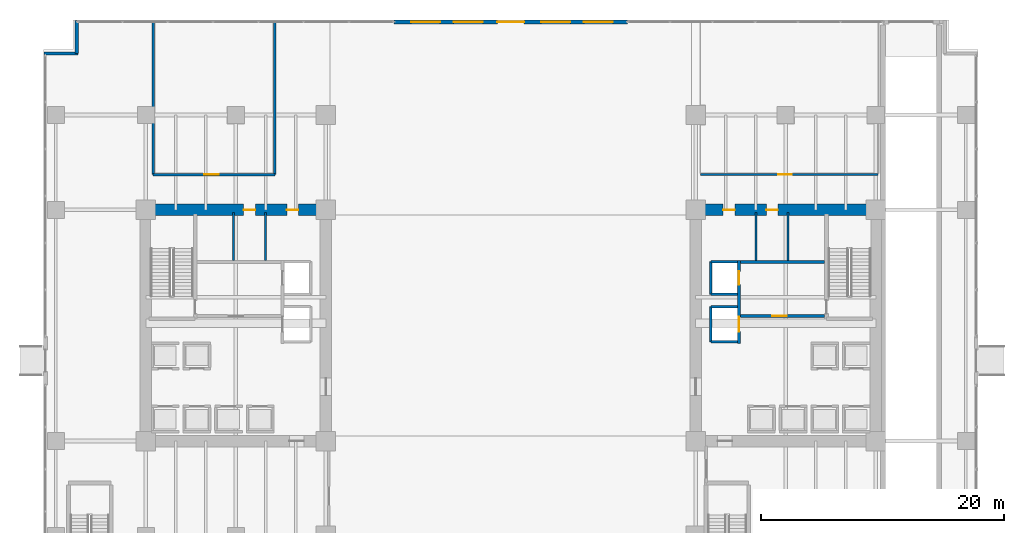
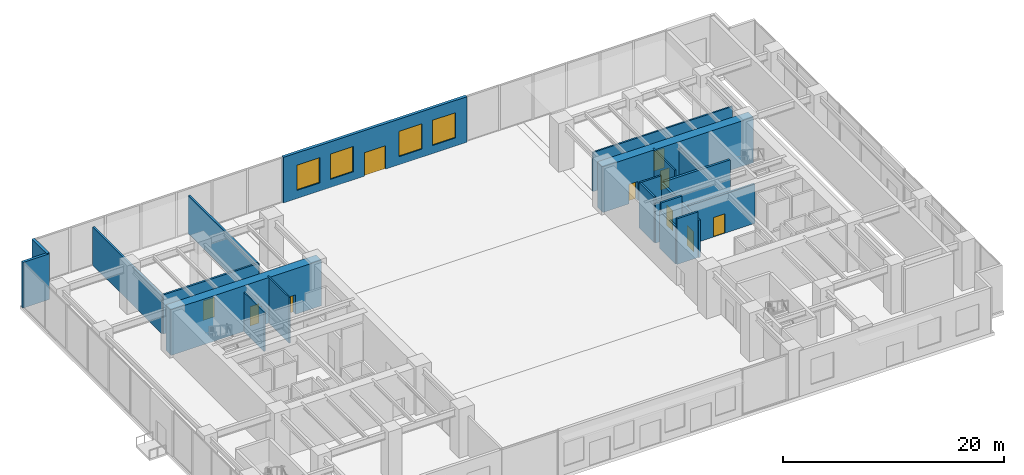
# One storey, part 21 of 28: 22 walls, 10 doors, 4 windows, 14 openings.
"""IFC4 building model written with IfcOpenShell, lengths in metres."""

import ifcopenshell
import ifcopenshell.guid

model = None  # the IFC model being written
_history = None  # IfcOwnerHistory: only IFC2X3 demands one
_inside = {}  # id of a spatial element -> (the spatial element, [elements in it])
_under = {}  # id of a project, library or spatial element -> (it, [spatial elements below it])
_declared = {}  # id of a project -> (the project, [libraries it declares])
_typed = {}  # id of a type object -> (the type object, [elements of that type])
_made_of = {}  # id of a material, layer set ... -> (it, [elements and type objects made of it])


def new_model(schema):
    """Start an empty IFC model of exactly this schema.

    Asked for "IFC4X3", IfcOpenShell would pick the latest addendum, in which some entities
    have other attributes; the version numbers below select the first issue.
    IFC2X3 requires an IfcOwnerHistory on every rooted entity: one is made here for all.
    """
    global model, _history
    if schema == "IFC4X3":
        model = ifcopenshell.file(schema_version=(4, 3, 0, 0))
    else:
        model = ifcopenshell.file(schema=schema)
    _inside.clear()
    _under.clear()
    _declared.clear()
    _typed.clear()
    _made_of.clear()
    _history = None
    if model.schema == "IFC2X3":
        org = make("IfcOrganization", Name="unknown")
        user = make(
            "IfcPersonAndOrganization",
            ThePerson=make("IfcPerson", FamilyName="unknown"),
            TheOrganization=org,
        )
        app = make(
            "IfcApplication",
            ApplicationDeveloper=org,
            Version="unknown",
            ApplicationFullName="unknown",
            ApplicationIdentifier="unknown",
        )
        _history = make(
            "IfcOwnerHistory",
            OwningUser=user,
            OwningApplication=app,
            ChangeAction="ADDED",
            CreationDate=0,
        )
    return model


def make(cls, **values):
    """One entity of the class cls with the attributes given. An attribute that is None is left unset."""
    return model.create_entity(
        cls, **{name: value for name, value in values.items() if value is not None}
    )


def rooted(cls, **values):
    """An entity with a GlobalId (a new one), such as an element, a storey or a relation."""
    return make(cls, GlobalId=ifcopenshell.guid.new(), OwnerHistory=_history, **values)


def si_unit(unit_type, name, prefix=None):
    """IfcSIUnit, for example si_unit("LENGTHUNIT", "METRE", prefix="MILLI")."""
    return make("IfcSIUnit", UnitType=unit_type, Prefix=prefix, Name=name)


def assignment(units):
    """IfcUnitAssignment: the units of a project."""
    return None if units is None else make("IfcUnitAssignment", Units=units)


def point(xyz):
    """IfcCartesianPoint."""
    return None if xyz is None else make("IfcCartesianPoint", Coordinates=xyz)


def direction(xyz):
    """IfcDirection."""
    return None if xyz is None else make("IfcDirection", DirectionRatios=xyz)


def frame(location, z_axis=None, x_axis=None):
    """IfcAxis2Placement3D, a coordinate frame: its origin and axes. An axis left out is left unset."""
    return make(
        "IfcAxis2Placement3D",
        Location=point(location),
        Axis=direction(z_axis),
        RefDirection=direction(x_axis),
    )


def frame_2d(location, x_axis=None):
    """IfcAxis2Placement2D, a coordinate frame in the plane: its origin and x axis."""
    return make(
        "IfcAxis2Placement2D", Location=point(location), RefDirection=direction(x_axis)
    )


def origin():
    """The frame at (0, 0, 0) with its axes left unset."""
    return frame((0.0, 0.0, 0.0))


def place(relative_to, where):
    """IfcLocalPlacement: puts the frame where relative to a parent placement (None: the world)."""
    return make(
        "IfcLocalPlacement", PlacementRelTo=relative_to, RelativePlacement=where
    )


def context(
    kind, dimensions, precision=None, world=None, true_north=None, identifier=None
):
    """IfcGeometricRepresentationContext, for example the 3D "Model" context."""
    return make(
        "IfcGeometricRepresentationContext",
        ContextIdentifier=identifier,
        ContextType=kind,
        CoordinateSpaceDimension=dimensions,
        Precision=precision,
        WorldCoordinateSystem=world,
        TrueNorth=true_north,
    )


def subcontext(parent, identifier, kind, view, scale=None):
    """IfcGeometricRepresentationSubContext, for example "Body" below "Model"."""
    return make(
        "IfcGeometricRepresentationSubContext",
        ContextIdentifier=identifier,
        ContextType=kind,
        ParentContext=parent,
        TargetScale=scale,
        TargetView=view,
    )


def project(units=None, contexts=None):
    """IfcProject with its units and contexts."""
    return rooted(
        "IfcProject",
        Name="project",
        RepresentationContexts=contexts,
        UnitsInContext=assignment(units),
    )


def spatial(cls, under=None, at=None, **own):
    """A site, building, storey or space (cls), placed at a placement, below another one or the project."""
    s = rooted(cls, ObjectPlacement=at, **own)
    if under is not None:
        _under.setdefault(under.id(), (under, []))[1].append(s)
    return s


def profile(cls, at=None, kind="AREA", **sizes):
    """A parametric profile (cls). Its sizes go by their IFC names, for example OverallWidth=200.0."""
    return make(cls, ProfileType=kind, Position=at, **sizes)


def rectangle(**sizes):
    """IfcRectangleProfileDef."""
    return profile("IfcRectangleProfileDef", **sizes)


def extrude(swept, where, along, depth):
    """IfcExtrudedAreaSolid: the profile swept, set in the frame where, extruded along a direction by depth."""
    return make(
        "IfcExtrudedAreaSolid",
        SweptArea=swept,
        Position=where,
        ExtrudedDirection=direction(along),
        Depth=depth,
    )


def shape(context_of_items, identifier, shape_type, items):
    """IfcShapeRepresentation: the items that make up one representation, for example the "Body"."""
    return make(
        "IfcShapeRepresentation",
        ContextOfItems=context_of_items,
        RepresentationIdentifier=identifier,
        RepresentationType=shape_type,
        Items=items,
    )


def source(mapping_origin, context_of_items, identifier, shape_type, items):
    """IfcRepresentationMap: a shape defined once, which mapped items show again and again."""
    return make(
        "IfcRepresentationMap",
        MappingOrigin=mapping_origin,
        MappedRepresentation=shape(context_of_items, identifier, shape_type, items),
    )


def transform(
    local_origin,
    x_axis=None,
    y_axis=None,
    z_axis=None,
    scale=None,
    scale2=None,
    scale3=None,
    uniform=True,
):
    """IfcCartesianTransformationOperator3D, or its non-uniform kind. x_axis, y_axis, z_axis: its Axis1, 2, 3."""
    if uniform:
        return make(
            "IfcCartesianTransformationOperator3D",
            Axis1=direction(x_axis),
            Axis2=direction(y_axis),
            LocalOrigin=point(local_origin),
            Scale=scale,
            Axis3=direction(z_axis),
        )
    return make(
        "IfcCartesianTransformationOperator3DnonUniform",
        Axis1=direction(x_axis),
        Axis2=direction(y_axis),
        LocalOrigin=point(local_origin),
        Scale=scale,
        Axis3=direction(z_axis),
        Scale2=scale2,
        Scale3=scale3,
    )


def mapped(mapping_source, mapping_target):
    """IfcMappedItem: shows the shape of a source again, moved by a transform."""
    return make(
        "IfcMappedItem", MappingSource=mapping_source, MappingTarget=mapping_target
    )


def material(Name=None, Category=None):
    """IfcMaterial."""
    return make("IfcMaterial", Name=Name, Category=Category)


def layer(
    of_material, thickness, ventilated=None, Name=None, Category=None, Priority=None
):
    """IfcMaterialLayer: one layer of a wall or slab, of a material (None: an air gap)."""
    return make(
        "IfcMaterialLayer",
        Material=of_material,
        LayerThickness=thickness,
        IsVentilated=ventilated,
        Name=Name,
        Category=Category,
        Priority=Priority,
    )


def layer_set(layers, Name=None):
    """IfcMaterialLayerSet."""
    return make("IfcMaterialLayerSet", MaterialLayers=layers, LayerSetName=Name)


def made_of(thing, what):
    """Note that an element or type object is made of a material, layer set ...; save() writes the relation."""
    if what is not None:
        _made_of.setdefault(what.id(), (what, []))[1].append(thing)
    return thing


def type_object(cls, material=None, **own):
    """A type object (cls), such as IfcWallType, which elements share."""
    return made_of(rooted(cls, **own), material)


def type_shapes(of_type, sources):
    """Give a type object the sources (RepresentationMaps) that its elements show as mapped items."""
    of_type.RepresentationMaps = sources


def element(
    cls,
    number,
    at=None,
    inside=None,
    cuts=None,
    type_object=None,
    material=None,
    context=None,
    identifier="Body",
    shape_type=None,
    held_by="IfcProductDefinitionShape",
    body=None,
    shapes=None,
    **own,
):
    """One element of the class cls, such as IfcWall. Its Tag is "e" and its number.

    at: its placement. inside: the storey or other place that contains it. cuts: it is an
    opening in that element (IfcRelVoidsElement). A single representation is given by context,
    identifier, shape_type and body (its items); several are given by shapes. held_by: the class
    of the entity that holds the representations. save() writes the other relations.
    """
    e = rooted(cls, Tag="e%d" % number, ObjectPlacement=at, **own)
    if body is not None:
        shapes = [shape(context, identifier, shape_type, body)]
    if shapes is not None:
        e.Representation = make(held_by, Representations=shapes)
    if inside is not None:
        _inside.setdefault(inside.id(), (inside, []))[1].append(e)
    if cuts is not None:
        rooted(
            "IfcRelVoidsElement", RelatingBuildingElement=cuts, RelatedOpeningElement=e
        )
    if type_object is not None:
        _typed.setdefault(type_object.id(), (type_object, []))[1].append(e)
    return made_of(e, material)


def fill(opening, filler):
    """IfcRelFillsElement: the door or window that sits in an opening."""
    return rooted(
        "IfcRelFillsElement",
        RelatingOpeningElement=opening,
        RelatedBuildingElement=filler,
    )


def aggregate(whole, parts):
    """IfcRelAggregates: a whole, such as a stair, and the parts it consists of."""
    return rooted("IfcRelAggregates", RelatingObject=whole, RelatedObjects=parts)


def save(model, path):
    """Write the relations noted so far, then the file.

    IfcRelAggregates (storeys below a building ...), IfcRelContainedInSpatialStructure (elements
    in a storey), IfcRelDefinesByType, IfcRelAssociatesMaterial and IfcRelDeclares: one each for
    every whole, place, type object, material and project.
    """
    for whole, parts in _under.values():
        aggregate(whole, parts)
    for where, things in _inside.values():
        rooted(
            "IfcRelContainedInSpatialStructure",
            RelatedElements=things,
            RelatingStructure=where,
        )
    for kind, things in _typed.values():
        rooted("IfcRelDefinesByType", RelatedObjects=things, RelatingType=kind)
    for what, things in _made_of.values():
        rooted("IfcRelAssociatesMaterial", RelatedObjects=things, RelatingMaterial=what)
    for by, libraries in _declared.values():
        rooted("IfcRelDeclares", RelatingContext=by, RelatedDefinitions=libraries)
    model.write(path)


model = new_model("IFC4")

# Units and contexts
model_context = context("Model", 3, precision=1e-05, world=origin(), true_north=direction((0.0, 1.0)))
body_context = subcontext(model_context, "Body", "Model", "MODEL_VIEW")
ifc_project = project(units=[si_unit("LENGTHUNIT", "METRE"), si_unit("AREAUNIT", "SQUARE_METRE"), si_unit("VOLUMEUNIT", "CUBIC_METRE"), si_unit("PLANEANGLEUNIT", "RADIAN"), si_unit("MASSUNIT", "GRAM", prefix="KILO")], contexts=[model_context])

# Site, building, storey
site_placement = place(None, origin())
site = spatial("IfcSite", under=ifc_project, at=site_placement, CompositionType="ELEMENT")
building_placement = place(site_placement, origin())
building = spatial("IfcBuilding", under=site, at=building_placement, Name="Haelvirn Gate Laboratories", CompositionType="ELEMENT")
storey_placement = place(building_placement, origin())
storey = spatial("IfcBuildingStorey", under=building, at=storey_placement, Name="L01", CompositionType="ELEMENT", Elevation=0.0)

# Wall, openings, door, windows
ifc_material_1 = material(Name="Concrete C40/50", Category="concrete")
ifc_layer_1 = layer(ifc_material_1, 0.300048828125, Name="EW-CONC-300")
ifc_layer_set_1 = layer_set([ifc_layer_1], Name="Concrete C40/50")
wall_type_1 = type_object("IfcWallType", Name="EW-CONC-300", PredefinedType="STANDARD", material=ifc_layer_set_1)
wall_1_placement = place(storey_placement, frame((27.800048828125, 49.25, 0.0), z_axis=(0.0, 0.0, 1.0), x_axis=(1.0, 0.0, 0.0)))
wall_1 = element("IfcWall", 1, at=wall_1_placement, inside=storey, type_object=wall_type_1, Name="L01 North Plaza Entrance Wall", PredefinedType="STANDARD", context=body_context, shape_type="SweptSolid", body=[
    extrude(rectangle(XDim=19.199951171875, YDim=0.300048828125, at=frame_2d((9.60009765625, 0.0))), origin(), (0.0, 0.0, 1.0), 5.050048828125),
])
opening_1_placement = place(wall_1_placement, frame((8.5, 0.0, 0.0)))
opening_1 = element("IfcOpeningElement", 2, at=opening_1_placement, cuts=wall_1, Name="Opening ED1", PredefinedType="OPENING", context=body_context, shape_type="SweptSolid", body=[
    extrude(rectangle(XDim=2.199951171875, YDim=2.60009765625, at=frame_2d((1.10009765625, 1.300048828125))), frame((0.0, 0.16015625, 0.0), z_axis=(0.0, -1.0, 0.0), x_axis=(1.0, 0.0, 0.0)), (0.0, 0.0, 1.0), 0.320068359375),
])
opening_2_placement = place(wall_1_placement, frame((1.39990234375, 0.0, 0.89990234375)))
opening_2 = element("IfcOpeningElement", 3, at=opening_2_placement, cuts=wall_1, Name="Opening W1", PredefinedType="OPENING", context=body_context, shape_type="SweptSolid", body=[
    extrude(rectangle(XDim=2.39990234375, YDim=2.800048828125, at=frame_2d((1.199951171875, 1.39990234375))), frame((0.0, 0.16015625, 0.0), z_axis=(0.0, -1.0, 0.0), x_axis=(1.0, 0.0, 0.0)), (0.0, 0.0, 1.0), 0.320068359375),
])
opening_3_placement = place(wall_1_placement, frame((4.89990234375, 0.0, 0.89990234375)))
opening_3 = element("IfcOpeningElement", 4, at=opening_3_placement, cuts=wall_1, Name="Opening W1", PredefinedType="OPENING", context=body_context, shape_type="SweptSolid", body=[
    extrude(rectangle(XDim=2.39990234375, YDim=2.800048828125, at=frame_2d((1.199951171875, 1.39990234375))), frame((0.0, 0.16015625, 0.0), z_axis=(0.0, -1.0, 0.0), x_axis=(1.0, 0.0, 0.0)), (0.0, 0.0, 1.0), 0.320068359375),
])
opening_4_placement = place(wall_1_placement, frame((12.10009765625, 0.0, 0.89990234375)))
opening_4 = element("IfcOpeningElement", 5, at=opening_4_placement, cuts=wall_1, Name="Opening W1", PredefinedType="OPENING", context=body_context, shape_type="SweptSolid", body=[
    extrude(rectangle(XDim=2.39990234375, YDim=2.800048828125, at=frame_2d((1.199951171875, 1.39990234375))), frame((0.0, 0.16015625, 0.0), z_axis=(0.0, -1.0, 0.0), x_axis=(1.0, 0.0, 0.0)), (0.0, 0.0, 1.0), 0.320068359375),
])
opening_5_placement = place(wall_1_placement, frame((15.60009765625, 0.0, 0.89990234375)))
opening_5 = element("IfcOpeningElement", 6, at=opening_5_placement, cuts=wall_1, Name="Opening W1", PredefinedType="OPENING", context=body_context, shape_type="SweptSolid", body=[
    extrude(rectangle(XDim=2.39990234375, YDim=2.800048828125, at=frame_2d((1.199951171875, 1.39990234375))), frame((0.0, 0.16015625, 0.0), z_axis=(0.0, -1.0, 0.0), x_axis=(1.0, 0.0, 0.0)), (0.0, 0.0, 1.0), 0.320068359375),
])
ifc_material_2 = material(Name="Thermally-broken bronze aluminium & laminated safety glass", Category="aluminium")
door_type_1 = type_object("IfcDoorType", Name="DR-EXT-2200", OperationType="NOTDEFINED", PredefinedType="DOOR", material=ifc_material_2)
shared_shape_1 = source(origin(), body_context, "Body", "SweptSolid", [
    extrude(rectangle(XDim=2.199951171875, YDim=2.60009765625, at=frame_2d((1.10009765625, 1.300048828125))), frame((0.0, 0.02490234375, 0.0), z_axis=(0.0, -1.0, 0.0), x_axis=(1.0, 0.0, 0.0)), (0.0, 0.0, 1.0), 0.050048828125),
])
type_shapes(door_type_1, [shared_shape_1])
door_1_placement = place(opening_1_placement, origin())
door_1 = element("IfcDoor", 7, at=door_1_placement, inside=storey, type_object=door_type_1, Name="L01 North Plaza Concourse Entrance", OperationType="DOUBLE_DOOR_SINGLE_SWING", OverallHeight=2.60009765625, OverallWidth=2.199951171875, PredefinedType="DOOR", context=body_context, shape_type="MappedRepresentation", body=[
    mapped(shared_shape_1, transform((0.0, 0.0, 0.0), scale=1.0)),
])
fill(opening_1, door_1)
ifc_material_3 = material(Name="Bronze anodised aluminium & triple low-E glass", Category="aluminium")
window_type = type_object("IfcWindowType", Name="WIN-CONC-2400", PartitioningType="SINGLE_PANEL", PredefinedType="WINDOW", material=ifc_material_3)
shared_shape_2 = source(origin(), body_context, "Body", "SweptSolid", [
    extrude(rectangle(XDim=2.39990234375, YDim=2.800048828125, at=frame_2d((1.199951171875, 1.39990234375))), frame((0.0, 0.030029296875, 0.0), z_axis=(0.0, -1.0, 0.0), x_axis=(1.0, 0.0, 0.0)), (0.0, 0.0, 1.0), 0.06005859375),
])
type_shapes(window_type, [shared_shape_2])
window_1_placement = place(opening_2_placement, origin())
window_1 = element("IfcWindow", 8, at=window_1_placement, inside=storey, type_object=window_type, Name="L01 North Plaza Window 1", OverallHeight=2.800048828125, OverallWidth=2.39990234375, PartitioningType="SINGLE_PANEL", PredefinedType="WINDOW", context=body_context, shape_type="MappedRepresentation", body=[
    mapped(shared_shape_2, transform((0.0, 0.0, 0.0), scale=1.0)),
])
fill(opening_2, window_1)
window_2_placement = place(opening_3_placement, origin())
window_2 = element("IfcWindow", 9, at=window_2_placement, inside=storey, type_object=window_type, Name="L01 North Plaza Window 2", OverallHeight=2.800048828125, OverallWidth=2.39990234375, PartitioningType="SINGLE_PANEL", PredefinedType="WINDOW", context=body_context, shape_type="MappedRepresentation", body=[
    mapped(shared_shape_2, transform((0.0, 0.0, 0.0), scale=1.0)),
])
fill(opening_3, window_2)
window_3_placement = place(opening_4_placement, origin())
window_3 = element("IfcWindow", 10, at=window_3_placement, inside=storey, type_object=window_type, Name="L01 North Plaza Window 3", OverallHeight=2.800048828125, OverallWidth=2.39990234375, PartitioningType="SINGLE_PANEL", PredefinedType="WINDOW", context=body_context, shape_type="MappedRepresentation", body=[
    mapped(shared_shape_2, transform((0.0, 0.0, 0.0), scale=1.0)),
])
fill(opening_4, window_3)
window_4_placement = place(opening_5_placement, origin())
window_4 = element("IfcWindow", 11, at=window_4_placement, inside=storey, type_object=window_type, Name="L01 North Plaza Window 4", OverallHeight=2.800048828125, OverallWidth=2.39990234375, PartitioningType="SINGLE_PANEL", PredefinedType="WINDOW", context=body_context, shape_type="MappedRepresentation", body=[
    mapped(shared_shape_2, transform((0.0, 0.0, 0.0), scale=1.0)),
])
fill(opening_5, window_4)

# Walls
ifc_material_4 = material(Name="Thermally-broken bronze aluminium rainscreen & mineral wool", Category="aluminium")
ifc_layer_2 = layer(ifc_material_4, 0.280029296875, Name="EW-TERR-280")
ifc_layer_set_2 = layer_set([ifc_layer_2], Name="Thermally-broken bronze aluminium rainscreen & mineral wool")
wall_type_2 = type_object("IfcWallType", Name="EW-TERR-280", PredefinedType="STANDARD", material=ifc_layer_set_2)
wall_2_placement = place(storey_placement, frame((1.739990234375, 49.35009765625, 0.0), z_axis=(0.0, 0.0, 1.0), x_axis=(0.0, -1.0, 0.0)))
element("IfcWall", 12, at=wall_2_placement, inside=storey, type_object=wall_type_2, Name="L01 Notched Corner Perimeter Wall NW1", PredefinedType="STANDARD", context=body_context, shape_type="SweptSolid", body=[
    extrude(rectangle(XDim=2.690185546875, YDim=0.280029296875, at=frame_2d((1.34521484375, 0.0))), origin(), (0.0, 0.0, 1.0), 5.050048828125),
])
wall_3_placement = place(storey_placement, frame((1.820068359375, 46.659912109375, 0.0), z_axis=(0.0, 0.0, 1.0), x_axis=(-1.0, 0.0, 0.0)))
element("IfcWall", 13, at=wall_3_placement, inside=storey, type_object=wall_type_2, Name="L01 Notched Corner Perimeter Wall NW2", PredefinedType="STANDARD", context=body_context, shape_type="SweptSolid", body=[
    extrude(rectangle(XDim=2.77001953125, YDim=0.280029296875, at=frame_2d((1.385009765625, 0.0))), origin(), (0.0, 0.0, 1.0), 5.050048828125),
])

# Wall, opening, door
ifc_material_5 = material(Name="Moisture-resistant gypsum laboratory partition", Category="gypsum")
ifc_layer_3 = layer(ifc_material_5, 0.1650390625, Name="IW-PART-160")
ifc_layer_set_3 = layer_set([ifc_layer_3], Name="Moisture-resistant gypsum laboratory partition")
wall_type_3 = type_object("IfcWallType", Name="IW-PART-160", PredefinedType="PARTITIONING", material=ifc_layer_set_3)
wall_4_placement = place(storey_placement, frame((53.0, 36.699951171875, 0.0), z_axis=(0.0, 0.0, 1.0), x_axis=(1.0, 0.0, 0.0)))
wall_4 = element("IfcWall", 14, at=wall_4_placement, inside=storey, type_object=wall_type_3, Name="L01 Interior Wall IW-L01-VIS-S", PredefinedType="PARTITIONING", context=body_context, shape_type="SweptSolid", body=[
    extrude(rectangle(XDim=14.60009765625, YDim=0.1650390625, at=frame_2d((7.300048828125, 0.0))), origin(), (0.0, 0.0, 1.0), 4.3349609375),
])
opening_6_placement = place(wall_4_placement, frame((6.39990234375, 0.0, 0.0)))
opening_6 = element("IfcOpeningElement", 15, at=opening_6_placement, cuts=wall_4, Name="Opening D1", PredefinedType="OPENING", context=body_context, shape_type="SweptSolid", body=[
    extrude(rectangle(XDim=1.10009765625, YDim=2.179931640625, at=frame_2d((0.550048828125, 1.08984375))), frame((0.0, 0.092529296875, 0.0), z_axis=(0.0, -1.0, 0.0), x_axis=(1.0, 0.0, 0.0)), (0.0, 0.0, 1.0), 0.18505859375),
])
ifc_material_6 = material(Name="Vision-panel acoustic solid-core timber lab door", Category="wood")
door_type_2 = type_object("IfcDoorType", Name="DR-LAB-1100", OperationType="NOTDEFINED", PredefinedType="DOOR", material=ifc_material_6)
shared_shape_3 = source(origin(), body_context, "Body", "SweptSolid", [
    extrude(rectangle(XDim=1.10009765625, YDim=2.179931640625, at=frame_2d((0.550048828125, 1.08984375))), frame((0.0, 0.02490234375, 0.0), z_axis=(0.0, -1.0, 0.0), x_axis=(1.0, 0.0, 0.0)), (0.0, 0.0, 1.0), 0.050048828125),
])
type_shapes(door_type_2, [shared_shape_3])
door_2_placement = place(opening_6_placement, origin())
door_2 = element("IfcDoor", 16, at=door_2_placement, inside=storey, type_object=door_type_2, Name="L01 Visitor Reception Door", OperationType="SINGLE_SWING_RIGHT", OverallHeight=2.179931640625, OverallWidth=1.10009765625, PredefinedType="DOOR", context=body_context, shape_type="MappedRepresentation", body=[
    mapped(shared_shape_3, transform((0.0, 0.0, 0.0), scale=1.0)),
])
fill(opening_6, door_2)

# Walls
ifc_material_7 = material(Name="Cement-board restroom plumbing chase wall", Category="gypsum")
ifc_layer_4 = layer(ifc_material_7, 0.155029296875, Name="IW-PLUMB-160")
ifc_layer_set_4 = layer_set([ifc_layer_4], Name="Cement-board restroom plumbing chase wall")
wall_type_4 = type_object("IfcWallType", Name="IW-PLUMB-160", PredefinedType="PLUMBINGWALL", material=ifc_layer_set_4)
wall_5_placement = place(storey_placement, frame((14.610107421875, 29.64990234375, 0.0), z_axis=(0.0, 0.0, 1.0), x_axis=(0.0, 1.0, 0.0)))
element("IfcWall", 17, at=wall_5_placement, inside=storey, type_object=wall_type_4, Name="L01 Interior Wall IW-L01-W-CDIV-0", PredefinedType="PLUMBINGWALL", context=body_context, shape_type="SweptSolid", body=[
    extrude(rectangle(XDim=3.93017578125, YDim=0.155029296875, at=frame_2d((1.965087890625, 0.0))), origin(), (0.0, 0.0, 1.0), 4.3349609375),
])
wall_6_placement = place(storey_placement, frame((17.239990234375, 29.64990234375, 0.0), z_axis=(0.0, 0.0, 1.0), x_axis=(0.0, 1.0, 0.0)))
element("IfcWall", 18, at=wall_6_placement, inside=storey, type_object=wall_type_4, Name="L01 Interior Wall IW-L01-W-CDIV-1", PredefinedType="PLUMBINGWALL", context=body_context, shape_type="SweptSolid", body=[
    extrude(rectangle(XDim=3.93017578125, YDim=0.155029296875, at=frame_2d((1.965087890625, 0.0))), origin(), (0.0, 0.0, 1.0), 5.050048828125),
])
wall_7_placement = place(storey_placement, frame((60.18994140625, 29.64990234375, 0.0), z_axis=(0.0, 0.0, 1.0), x_axis=(0.0, 1.0, 0.0)))
element("IfcWall", 19, at=wall_7_placement, inside=storey, type_object=wall_type_4, Name="L01 Interior Wall IW-L01-E-CDIV-0", PredefinedType="PLUMBINGWALL", context=body_context, shape_type="SweptSolid", body=[
    extrude(rectangle(XDim=3.93017578125, YDim=0.155029296875, at=frame_2d((1.965087890625, 0.0))), origin(), (0.0, 0.0, 1.0), 4.3349609375),
])
wall_8_placement = place(storey_placement, frame((57.56005859375, 29.64990234375, 0.0), z_axis=(0.0, 0.0, 1.0), x_axis=(0.0, 1.0, 0.0)))
element("IfcWall", 20, at=wall_8_placement, inside=storey, type_object=wall_type_4, Name="L01 Interior Wall IW-L01-E-CDIV-1", PredefinedType="PLUMBINGWALL", context=body_context, shape_type="SweptSolid", body=[
    extrude(rectangle(XDim=3.93017578125, YDim=0.155029296875, at=frame_2d((1.965087890625, 0.0))), origin(), (0.0, 0.0, 1.0), 5.050048828125),
])
ifc_layer_5 = layer(ifc_material_1, 0.199951171875, Name="IW-SHAFT-200")
ifc_layer_set_5 = layer_set([ifc_layer_5], Name="Concrete C40/50")
wall_type_5 = type_object("IfcWallType", Name="IW-SHAFT-200", PredefinedType="SOLIDWALL", material=ifc_layer_set_5)
wall_9_placement = place(storey_placement, frame((53.85009765625, 26.85009765625, 0.0), z_axis=(0.0, 0.0, 1.0), x_axis=(0.0, 1.0, 0.0)))
element("IfcWall", 21, at=wall_9_placement, inside=storey, type_object=wall_type_5, Name="L01 Interior Wall IW-L01-FL2-BK", PredefinedType="SOLIDWALL", context=body_context, shape_type="SweptSolid", body=[
    extrude(rectangle(XDim=2.699951171875, YDim=0.199951171875, at=frame_2d((1.35009765625, 0.0))), origin(), (0.0, 0.0, 1.0), 5.050048828125),
])
wall_10_placement = place(storey_placement, frame((53.85009765625, 29.550048828125, 0.0), z_axis=(0.0, 0.0, 1.0), x_axis=(1.0, 0.0, 0.0)))
element("IfcWall", 22, at=wall_10_placement, inside=storey, type_object=wall_type_5, Name="L01 Interior Wall IW-L01-FL2-N", PredefinedType="SOLIDWALL", context=body_context, shape_type="SweptSolid", body=[
    extrude(rectangle(XDim=2.18994140625, YDim=0.199951171875, at=frame_2d((1.094970703125, 0.0))), origin(), (0.0, 0.0, 1.0), 5.050048828125),
])
wall_11_placement = place(storey_placement, frame((53.85009765625, 26.85009765625, 0.0), z_axis=(0.0, 0.0, 1.0), x_axis=(1.0, 0.0, 0.0)))
element("IfcWall", 23, at=wall_11_placement, inside=storey, type_object=wall_type_5, Name="L01 Interior Wall IW-L01-FL2-S", PredefinedType="SOLIDWALL", context=body_context, shape_type="SweptSolid", body=[
    extrude(rectangle(XDim=2.18994140625, YDim=0.199951171875, at=frame_2d((1.094970703125, 0.0))), origin(), (0.0, 0.0, 1.0), 4.447021484375),
])
wall_12_placement = place(storey_placement, frame((53.85009765625, 22.949951171875, 0.0), z_axis=(0.0, 0.0, 1.0), x_axis=(0.0, 1.0, 0.0)))
element("IfcWall", 24, at=wall_12_placement, inside=storey, type_object=wall_type_5, Name="L01 Interior Wall IW-L01-SL2-BK", PredefinedType="SOLIDWALL", context=body_context, shape_type="SweptSolid", body=[
    extrude(rectangle(XDim=2.900146484375, YDim=0.199951171875, at=frame_2d((1.4501953125, 0.0))), origin(), (0.0, 0.0, 1.0), 4.135009765625),
])
for number, where, z_axis, x_axis, name in (
    (25, (53.85009765625, 25.85009765625, 0.0), (0.0, 0.0, 1.0), (1.0, 0.0, 0.0), "L01 Interior Wall IW-L01-SL2-N"),
    (26, (53.85009765625, 22.949951171875, 0.0), (0.0, 0.0, 1.0), (1.0, 0.0, 0.0), "L01 Interior Wall IW-L01-SL2-S"),
):
    element("IfcWall", number, at=place(storey_placement, frame(where, z_axis=z_axis, x_axis=x_axis)), inside=storey, type_object=wall_type_5, Name=name, PredefinedType="SOLIDWALL", context=body_context, shape_type="SweptSolid", body=[
        extrude(rectangle(XDim=2.18994140625, YDim=0.199951171875, at=frame_2d((1.094970703125, 0.0))), origin(), (0.0, 0.0, 1.0), 5.050048828125),
    ])

# Wall, opening, door
wall_13_placement = place(storey_placement, frame((8.0, 36.699951171875, 0.0), z_axis=(0.0, 0.0, 1.0), x_axis=(1.0, 0.0, 0.0)))
wall_13 = element("IfcWall", 27, at=wall_13_placement, inside=storey, type_object=wall_type_5, Name="L01 Interior Wall IW-L01-FCC-S", PredefinedType="SOLIDWALL", context=body_context, shape_type="SweptSolid", body=[
    extrude(rectangle(XDim=10.0, YDim=0.199951171875, at=frame_2d((5.0, 0.0))), origin(), (0.0, 0.0, 1.0), 4.3349609375),
])
opening_7_placement = place(wall_13_placement, frame((4.199951171875, 0.0, 0.0)))
opening_7 = element("IfcOpeningElement", 28, at=opening_7_placement, cuts=wall_13, Name="Opening FD2", PredefinedType="OPENING", context=body_context, shape_type="SweptSolid", body=[
    extrude(rectangle(XDim=1.199951171875, YDim=2.159912109375, at=frame_2d((0.60009765625, 1.080078125))), frame((0.0, 0.10986328125, 0.0), z_axis=(0.0, -1.0, 0.0), x_axis=(1.0, 0.0, 0.0)), (0.0, 0.0, 1.0), 0.219970703125),
])
ifc_material_8 = material(Name="Fire-rated steel SM355 compartment door", Category="steel")
door_type_3 = type_object("IfcDoorType", Name="DR-FD-1200", OperationType="NOTDEFINED", PredefinedType="DOOR", material=ifc_material_8)
shared_shape_4 = source(origin(), body_context, "Body", "SweptSolid", [
    extrude(rectangle(XDim=1.199951171875, YDim=2.159912109375, at=frame_2d((0.60009765625, 1.080078125))), frame((0.0, 0.02490234375, 0.0), z_axis=(0.0, -1.0, 0.0), x_axis=(1.0, 0.0, 0.0)), (0.0, 0.0, 1.0), 0.050048828125),
])
type_shapes(door_type_3, [shared_shape_4])
door_3_placement = place(opening_7_placement, origin())
door_3 = element("IfcDoor", 29, at=door_3_placement, inside=storey, type_object=door_type_3, Name="L01 Fire Command Room Door", OperationType="SINGLE_SWING_LEFT", OverallHeight=2.159912109375, OverallWidth=1.199951171875, PredefinedType="DOOR", context=body_context, shape_type="MappedRepresentation", body=[
    mapped(shared_shape_4, transform((0.0, 0.0, 0.0), scale=1.0)),
])
fill(opening_7, door_3)

# Walls
for number, where, z_axis, x_axis, name in (
    (30, (8.0, 36.699951171875, 0.0), (0.0, 0.0, 1.0), (0.0, 1.0, 0.0), "L01 Interior Wall IW-L01-FCC-W"),
    (31, (18.0, 36.699951171875, 0.0), (0.0, 0.0, 1.0), (0.0, 1.0, 0.0), "L01 Interior Wall IW-L01-FCC-E"),
):
    element("IfcWall", number, at=place(storey_placement, frame(where, z_axis=z_axis, x_axis=x_axis)), inside=storey, type_object=wall_type_5, Name=name, PredefinedType="SOLIDWALL", context=body_context, shape_type="SweptSolid", body=[
        extrude(rectangle(XDim=12.550048828125, YDim=0.199951171875, at=frame_2d((6.27490234375, 0.0))), origin(), (0.0, 0.0, 1.0), 4.235107421875),
    ])

# Wall, opening, door
ifc_layer_6 = layer(ifc_material_1, 0.239990234375, Name="IW-SHAFT-240")
ifc_layer_set_6 = layer_set([ifc_layer_6], Name="Concrete C40/50")
wall_type_6 = type_object("IfcWallType", Name="IW-SHAFT-240", PredefinedType="SOLIDWALL", material=ifc_layer_set_6)
wall_14_placement = place(storey_placement, frame((56.280029296875, 25.080078125, 0.0), z_axis=(0.0, 0.0, 1.0), x_axis=(1.0, 0.0, 0.0)))
wall_14 = element("IfcWall", 32, at=wall_14_placement, inside=storey, type_object=wall_type_6, Name="L01 Interior Wall IW-L01-E-FF-S", PredefinedType="SOLIDWALL", context=body_context, shape_type="SweptSolid", body=[
    extrude(rectangle(XDim=6.919921875, YDim=0.239990234375, at=frame_2d((3.4599609375, 0.0))), origin(), (0.0, 0.0, 1.0), 4.3349609375),
])
opening_8_placement = place(wall_14_placement, frame((2.60009765625, 0.0, 0.0)))
opening_8 = element("IfcOpeningElement", 33, at=opening_8_placement, cuts=wall_14, Name="Opening FD2", PredefinedType="OPENING", context=body_context, shape_type="SweptSolid", body=[
    extrude(rectangle(XDim=1.199951171875, YDim=2.159912109375, at=frame_2d((0.60009765625, 1.080078125))), frame((0.0, 0.1298828125, 0.0), z_axis=(0.0, -1.0, 0.0), x_axis=(1.0, 0.0, 0.0)), (0.0, 0.0, 1.0), 0.260009765625),
])
door_4_placement = place(opening_8_placement, origin())
door_4 = element("IfcDoor", 34, at=door_4_placement, inside=storey, type_object=door_type_3, Name="L01 East Firefighting Lobby Door", OperationType="SINGLE_SWING_LEFT", OverallHeight=2.159912109375, OverallWidth=1.199951171875, PredefinedType="DOOR", context=body_context, shape_type="MappedRepresentation", body=[
    mapped(shared_shape_4, transform((0.0, 0.0, 0.0), scale=1.0)),
])
fill(opening_8, door_4)

# Wall
wall_15_placement = place(storey_placement, frame((56.280029296875, 29.52001953125, 0.0), z_axis=(0.0, 0.0, 1.0), x_axis=(1.0, 0.0, 0.0)))
element("IfcWall", 35, at=wall_15_placement, inside=storey, type_object=wall_type_6, Name="L01 Interior Wall IW-L01-E-FF-N", PredefinedType="SOLIDWALL", context=body_context, shape_type="SweptSolid", body=[
    extrude(rectangle(XDim=6.919921875, YDim=0.239990234375, at=frame_2d((3.4599609375, 0.0))), origin(), (0.0, 0.0, 1.0), 4.3349609375),
])

# Wall, openings, doors
wall_16_placement = place(storey_placement, frame((56.159912109375, 22.800048828125, 0.0), z_axis=(0.0, 0.0, 1.0), x_axis=(0.0, 1.0, 0.0)))
wall_16 = element("IfcWall", 36, at=wall_16_placement, inside=storey, type_object=wall_type_6, Name="L01 Interior Wall IW-L01-E-FF-E", PredefinedType="SOLIDWALL", context=body_context, shape_type="SweptSolid", body=[
    extrude(rectangle(XDim=6.849853515625, YDim=0.239990234375, at=frame_2d((3.4248046875, 0.0))), origin(), (0.0, 0.0, 1.0), 4.135009765625),
])
opening_9_placement = place(wall_16_placement, frame((4.85009765625, 0.0, 0.0)))
opening_9 = element("IfcOpeningElement", 37, at=opening_9_placement, cuts=wall_16, Name="Opening LD2", PredefinedType="OPENING", context=body_context, shape_type="SweptSolid", body=[
    extrude(rectangle(XDim=1.10009765625, YDim=2.219970703125, at=frame_2d((0.550048828125, 1.10986328125))), frame((0.0, 0.1298828125, 0.0), z_axis=(0.0, -1.0, 0.0), x_axis=(1.0, 0.0, 0.0)), (0.0, 0.0, 1.0), 0.260009765625),
])
opening_10_placement = place(wall_16_placement, frame((1.0, 0.0, 0.0)))
opening_10 = element("IfcOpeningElement", 38, at=opening_10_placement, cuts=wall_16, Name="Opening LD1", PredefinedType="OPENING", context=body_context, shape_type="SweptSolid", body=[
    extrude(rectangle(XDim=1.199951171875, YDim=2.219970703125, at=frame_2d((0.60009765625, 1.10986328125))), frame((0.0, 0.1298828125, 0.0), z_axis=(0.0, -1.0, 0.0), x_axis=(1.0, 0.0, 0.0)), (0.0, 0.0, 1.0), 0.260009765625),
])
ifc_material_9 = material(Name="Bronze stainless 316L sliding lift landing door")
door_type_4 = type_object("IfcDoorType", Name="DR-LD-1100", OperationType="NOTDEFINED", PredefinedType="USERDEFINED", material=ifc_material_9)
shared_shape_5 = source(origin(), body_context, "Body", "SweptSolid", [
    extrude(rectangle(XDim=1.10009765625, YDim=2.219970703125, at=frame_2d((0.550048828125, 1.10986328125))), frame((0.0, 0.02490234375, 0.0), z_axis=(0.0, -1.0, 0.0), x_axis=(1.0, 0.0, 0.0)), (0.0, 0.0, 1.0), 0.050048828125),
])
type_shapes(door_type_4, [shared_shape_5])
door_5_placement = place(opening_9_placement, origin())
door_5 = element("IfcDoor", 39, at=door_5_placement, inside=storey, type_object=door_type_4, Name="L01 Firefighting Lift FL2 Landing Door", ObjectType="LANDING_DOOR", OperationType="SLIDING_TO_RIGHT", OverallHeight=2.219970703125, OverallWidth=1.10009765625, PredefinedType="USERDEFINED", context=body_context, shape_type="MappedRepresentation", body=[
    mapped(shared_shape_5, transform((0.0, 0.0, 0.0), scale=1.0)),
])
fill(opening_9, door_5)
ifc_material_10 = material(Name="Stainless steel 316L sliding goods landing door", Category="steel")
door_type_5 = type_object("IfcDoorType", Name="DR-LD-1200", OperationType="NOTDEFINED", PredefinedType="USERDEFINED", material=ifc_material_10)
shared_shape_6 = source(origin(), body_context, "Body", "SweptSolid", [
    extrude(rectangle(XDim=1.199951171875, YDim=2.219970703125, at=frame_2d((0.60009765625, 1.10986328125))), frame((0.0, 0.02490234375, 0.0), z_axis=(0.0, -1.0, 0.0), x_axis=(1.0, 0.0, 0.0)), (0.0, 0.0, 1.0), 0.050048828125),
])
type_shapes(door_type_5, [shared_shape_6])
door_6_placement = place(opening_10_placement, origin())
door_6 = element("IfcDoor", 40, at=door_6_placement, inside=storey, type_object=door_type_5, Name="L01 Service Lift SL2 Landing Door", ObjectType="LANDING_DOOR", OperationType="SLIDING_TO_LEFT", OverallHeight=2.219970703125, OverallWidth=1.199951171875, PredefinedType="USERDEFINED", context=body_context, shape_type="MappedRepresentation", body=[
    mapped(shared_shape_6, transform((0.0, 0.0, 0.0), scale=1.0)),
])
fill(opening_10, door_6)

ifc_material_11 = material(Name="Concrete C70/85", Category="concrete")
ifc_layer_7 = layer(ifc_material_11, 0.949951171875, Name="SW-CORE-950")
ifc_layer_set_7 = layer_set([ifc_layer_7], Name="Concrete C70/85")
wall_type_7 = type_object("IfcWallType", Name="SW-CORE-950", PredefinedType="SHEAR", material=ifc_layer_set_7)
wall_17_placement = place(storey_placement, frame((6.925048828125, 33.800048828125, 0.0), z_axis=(0.0, 0.0, 1.0), x_axis=(1.0, 0.0, 0.0)))
wall_17 = element("IfcWall", 41, at=wall_17_placement, inside=storey, type_object=wall_type_7, Name="L01 W Core Shear Wall N", PredefinedType="SHEAR", context=body_context, shape_type="SweptSolid", body=[
    extrude(rectangle(XDim=15.75, YDim=0.949951171875, at=frame_2d((7.875, 0.0))), origin(), (0.0, 0.0, 1.0), 5.050048828125),
])
opening_11_placement = place(wall_17_placement, frame((8.52490234375, 0.0, 0.0)))
opening_11 = element("IfcOpeningElement", 42, at=opening_11_placement, cuts=wall_17, Name="Opening FD4", PredefinedType="OPENING", context=body_context, shape_type="SweptSolid", body=[
    extrude(rectangle(XDim=0.949951171875, YDim=2.14990234375, at=frame_2d((0.47509765625, 1.074951171875))), frame((0.0, 0.48486328125, 0.0), z_axis=(0.0, -1.0, 0.0), x_axis=(1.0, 0.0, 0.0)), (0.0, 0.0, 1.0), 0.969970703125),
])
opening_12_placement = place(wall_17_placement, frame((12.06494140625, 0.0, 0.0)))
opening_12 = element("IfcOpeningElement", 43, at=opening_12_placement, cuts=wall_17, Name="Opening FD4", PredefinedType="OPENING", context=body_context, shape_type="SweptSolid", body=[
    extrude(rectangle(XDim=0.949951171875, YDim=2.14990234375, at=frame_2d((0.47509765625, 1.074951171875))), frame((0.0, 0.48486328125, 0.0), z_axis=(0.0, -1.0, 0.0), x_axis=(1.0, 0.0, 0.0)), (0.0, 0.0, 1.0), 0.969970703125),
])
ifc_material_12 = material(Name="Fire-rated steel SM355 core service door", Category="steel")
door_type_6 = type_object("IfcDoorType", Name="DR-FD-950", OperationType="NOTDEFINED", PredefinedType="DOOR", material=ifc_material_12)
shared_shape_7 = source(origin(), body_context, "Body", "SweptSolid", [
    extrude(rectangle(XDim=0.949951171875, YDim=2.14990234375, at=frame_2d((0.47509765625, 1.074951171875))), frame((0.0, 0.02490234375, 0.0), z_axis=(0.0, -1.0, 0.0), x_axis=(1.0, 0.0, 0.0)), (0.0, 0.0, 1.0), 0.050048828125),
])
type_shapes(door_type_6, [shared_shape_7])
door_7_placement = place(opening_11_placement, origin())
door_7 = element("IfcDoor", 44, at=door_7_placement, inside=storey, type_object=door_type_6, Name="L01 Accessible Restroom Fire Door", OperationType="SINGLE_SWING_RIGHT", OverallHeight=2.14990234375, OverallWidth=0.949951171875, PredefinedType="DOOR", context=body_context, shape_type="MappedRepresentation", body=[
    mapped(shared_shape_7, transform((0.0, 0.0, 0.0), scale=1.0)),
])
fill(opening_11, door_7)
door_8_placement = place(opening_12_placement, origin())
door_8 = element("IfcDoor", 45, at=door_8_placement, inside=storey, type_object=door_type_6, Name="L01 Staff Restroom Fire Door", OperationType="SINGLE_SWING_LEFT", OverallHeight=2.14990234375, OverallWidth=0.949951171875, PredefinedType="DOOR", context=body_context, shape_type="MappedRepresentation", body=[
    mapped(shared_shape_7, transform((0.0, 0.0, 0.0), scale=1.0)),
])
fill(opening_12, door_8)

wall_18_placement = place(storey_placement, frame((52.125, 33.800048828125, 0.0), z_axis=(0.0, 0.0, 1.0), x_axis=(1.0, 0.0, 0.0)))
wall_18 = element("IfcWall", 46, at=wall_18_placement, inside=storey, type_object=wall_type_7, Name="L01 E Core Shear Wall N", PredefinedType="SHEAR", context=body_context, shape_type="SweptSolid", body=[
    extrude(rectangle(XDim=15.75, YDim=0.949951171875, at=frame_2d((7.875, 0.0))), origin(), (0.0, 0.0, 1.0), 5.050048828125),
])
opening_13_placement = place(wall_18_placement, frame((6.27490234375, 0.0, 0.0)))
opening_13 = element("IfcOpeningElement", 47, at=opening_13_placement, cuts=wall_18, Name="Opening FD4", PredefinedType="OPENING", context=body_context, shape_type="SweptSolid", body=[
    extrude(rectangle(XDim=0.949951171875, YDim=2.14990234375, at=frame_2d((0.47509765625, 1.074951171875))), frame((0.0, 0.48486328125, 0.0), z_axis=(0.0, -1.0, 0.0), x_axis=(1.0, 0.0, 0.0)), (0.0, 0.0, 1.0), 0.969970703125),
])
opening_14_placement = place(wall_18_placement, frame((2.735107421875, 0.0, 0.0)))
opening_14 = element("IfcOpeningElement", 48, at=opening_14_placement, cuts=wall_18, Name="Opening FD4", PredefinedType="OPENING", context=body_context, shape_type="SweptSolid", body=[
    extrude(rectangle(XDim=0.949951171875, YDim=2.14990234375, at=frame_2d((0.47509765625, 1.074951171875))), frame((0.0, 0.48486328125, 0.0), z_axis=(0.0, -1.0, 0.0), x_axis=(1.0, 0.0, 0.0)), (0.0, 0.0, 1.0), 0.969970703125),
])
door_9_placement = place(opening_13_placement, origin())
door_9 = element("IfcDoor", 49, at=door_9_placement, inside=storey, type_object=door_type_6, Name="L01 Accessible Restroom Fire Door", OperationType="SINGLE_SWING_RIGHT", OverallHeight=2.14990234375, OverallWidth=0.949951171875, PredefinedType="DOOR", context=body_context, shape_type="MappedRepresentation", body=[
    mapped(shared_shape_7, transform((0.0, 0.0, 0.0), scale=1.0)),
])
fill(opening_13, door_9)
door_10_placement = place(opening_14_placement, origin())
door_10 = element("IfcDoor", 50, at=door_10_placement, inside=storey, type_object=door_type_6, Name="L01 Staff Restroom Fire Door", OperationType="SINGLE_SWING_LEFT", OverallHeight=2.14990234375, OverallWidth=0.949951171875, PredefinedType="DOOR", context=body_context, shape_type="MappedRepresentation", body=[
    mapped(shared_shape_7, transform((0.0, 0.0, 0.0), scale=1.0)),
])
fill(opening_14, door_10)

save(model, "model.ifc")
